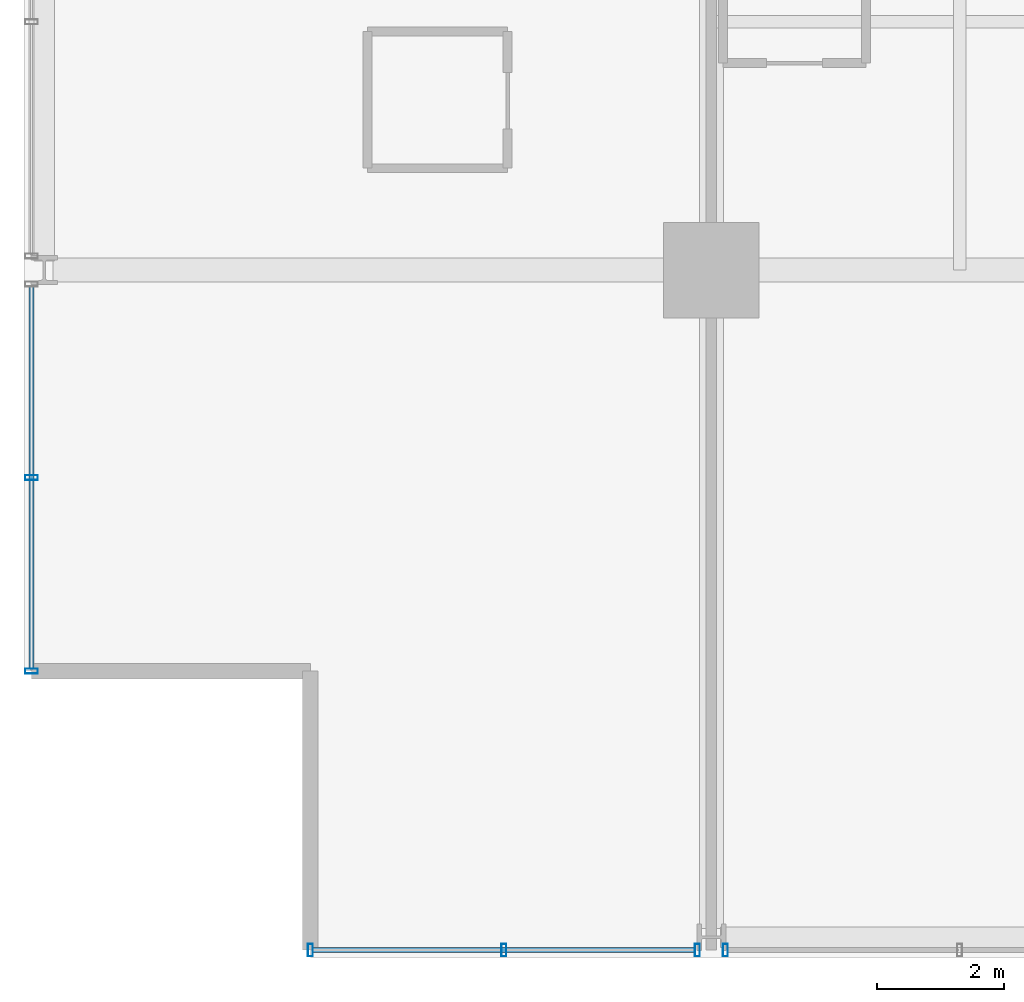
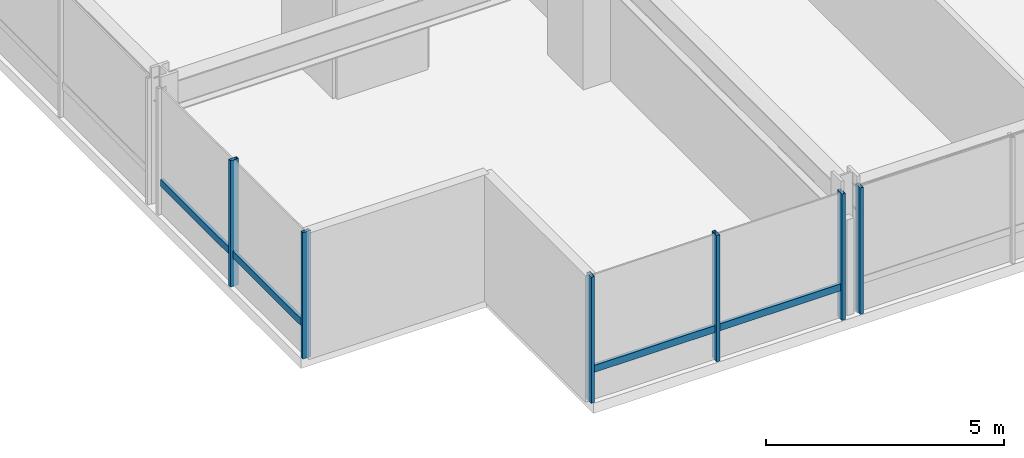
# One storey, part 2 of 34: 8 members, 3 elements without a shape of their own.
"""IFC4 building model written with IfcOpenShell, lengths in metres."""

from ifc_helpers import new_model, si_unit, direction, frame, origin, origin_2d, place, context, subcontext, project, spatial, hollow_rectangle, extrude, material, layer, layer_set, material_profile, profile_set, type_object, element, aggregate, save


model = new_model("IFC4")

# Units and contexts
model_context = context("Model", 3, precision=1e-05, world=origin(), true_north=direction((0.0, 1.0)))
body_context = subcontext(model_context, "Body", "Model", "MODEL_VIEW")
ifc_project = project(units=[si_unit("LENGTHUNIT", "METRE"), si_unit("AREAUNIT", "SQUARE_METRE"), si_unit("VOLUMEUNIT", "CUBIC_METRE"), si_unit("PLANEANGLEUNIT", "RADIAN"), si_unit("MASSUNIT", "GRAM", prefix="KILO")], contexts=[model_context])

# Site, building, storey
site_placement = place(None, origin())
site = spatial("IfcSite", under=ifc_project, at=site_placement, CompositionType="ELEMENT")
building_placement = place(site_placement, origin())
building = spatial("IfcBuilding", under=site, at=building_placement, Name="Drelvath Grand Hotel", CompositionType="ELEMENT")
storey_placement = place(building_placement, frame((0.0, 0.0, 91.800048828125)))
storey = spatial("IfcBuildingStorey", under=building, at=storey_placement, Name="L22", CompositionType="ELEMENT", Elevation=91.800048828125)

# Curtain wall, member
ifc_material = material(Name="Champagne Bronze Anodised Aluminium Frame", Category="aluminium")
ifc_layer = layer(ifc_material, 0.199951171875)
ifc_layer_set = layer_set([ifc_layer], Name="Champagne Bronze Anodised Aluminium Frame")
curtain_wall_type = type_object("IfcCurtainWallType", Name="Stick Curtain Wall CW-03 Champagne Bronze Mid-Rise", PredefinedType="NOTDEFINED", material=ifc_layer_set)
curtain_wall_1_placement = place(storey_placement, origin())
curtain_wall_1 = element("IfcCurtainWall", 1, at=curtain_wall_1_placement, inside=storey, type_object=curtain_wall_type, Name="L22 CW-03 Curtain Wall CW03-L22-WS1", PredefinedType="NOTDEFINED")
ifc_material_profile_1 = material_profile(ifc_material, hollow_rectangle(XDim=0.074951171875, YDim=0.179931640625, WallThickness=0.0048828125, at=origin_2d()), Name="HSS180X75X5")
ifc_profile_set_1 = profile_set([ifc_material_profile_1], Name="Champagne Bronze Anodised Aluminium Frame")
member_type_1 = type_object("IfcMemberType", Name="Curtain Wall Horizontal Transom CW-03 HSS180X75X5", PredefinedType="USERDEFINED", material=ifc_profile_set_1)
member_1_placement = place(storey_placement, frame((-26.8798828125, 4.5400390625, 0.81005859375), z_axis=(0.0, 1.0, 0.0), x_axis=(-1.0, 0.0, 0.0)))
member_1 = element("IfcMember", 2, at=member_1_placement, type_object=member_type_1, Name="CW03-L22-WS1 Sill Transom", ObjectType="TRANSOM", PredefinedType="USERDEFINED", context=body_context, shape_type="SweptSolid", body=[
    extrude(hollow_rectangle(XDim=0.074951171875, YDim=0.179931640625, WallThickness=0.0048828125, at=origin_2d()), origin(), (0.0, 0.0, 1.0), 6.000244140625),
])

curtain_wall_2_placement = place(storey_placement, origin())
curtain_wall_2 = element("IfcCurtainWall", 3, at=curtain_wall_2_placement, inside=storey, type_object=curtain_wall_type, Name="L22 CW-03 Curtain Wall CW03-L22-SW1", PredefinedType="NOTDEFINED")
member_2_placement = place(storey_placement, frame((-16.459716796875, 0.1201171875, 0.81005859375), z_axis=(-1.0, 0.0, 0.0), x_axis=(0.0, -1.0, 0.0)))
member_2 = element("IfcMember", 4, at=member_2_placement, type_object=member_type_1, Name="CW03-L22-SW1 Sill Transom", ObjectType="TRANSOM", PredefinedType="USERDEFINED", context=body_context, shape_type="SweptSolid", body=[
    extrude(hollow_rectangle(XDim=0.074951171875, YDim=0.179931640625, WallThickness=0.0048828125, at=origin_2d()), origin(), (0.0, 0.0, 1.0), 6.000244140625),
])

# Member
ifc_material_profile_2 = material_profile(ifc_material, hollow_rectangle(XDim=0.080078125, YDim=0.199951171875, WallThickness=0.0048828125, at=origin_2d()), Name="HSS200X80X5")
ifc_profile_set_2 = profile_set([ifc_material_profile_2], Name="Champagne Bronze Anodised Aluminium Frame")
member_type_2 = type_object("IfcMemberType", Name="Curtain Wall Vertical Mullion CW-03 HSS200X80X5", PredefinedType="MULLION", material=ifc_profile_set_2)
member_3_placement = place(storey_placement, frame((-26.8798828125, 4.5, 0.0), z_axis=(0.0, 0.0, 1.0), x_axis=(0.0, 1.0, 0.0)))
member_3 = element("IfcMember", 5, at=member_3_placement, type_object=member_type_2, Name="CW03-L22-WS1 Mullion 1", PredefinedType="MULLION", context=body_context, shape_type="SweptSolid", body=[
    extrude(hollow_rectangle(XDim=0.080078125, YDim=0.199951171875, WallThickness=0.0048828125, at=origin_2d()), origin(), (0.0, 0.0, 1.0), 3.239990234375),
])

member_4_placement = place(storey_placement, frame((-26.8798828125, 7.540283203125, 0.0), z_axis=(0.0, 0.0, 1.0), x_axis=(0.0, 1.0, 0.0)))
member_4 = element("IfcMember", 6, at=member_4_placement, type_object=member_type_2, Name="CW03-L22-WS1 Mullion 2", PredefinedType="MULLION", context=body_context, shape_type="SweptSolid", body=[
    extrude(hollow_rectangle(XDim=0.080078125, YDim=0.199951171875, WallThickness=0.0048828125, at=origin_2d()), origin(), (0.0, 0.0, 1.0), 3.239990234375),
])

aggregate(curtain_wall_1, [member_3, member_4, member_1])

member_5_placement = place(storey_placement, frame((-16.419677734375, 0.1201171875, 0.0), z_axis=(0.0, 0.0, 1.0), x_axis=(1.0, 0.0, 0.0)))
member_5 = element("IfcMember", 7, at=member_5_placement, type_object=member_type_2, Name="CW03-L22-SW1 Mullion 1", PredefinedType="MULLION", context=body_context, shape_type="SweptSolid", body=[
    extrude(hollow_rectangle(XDim=0.080078125, YDim=0.199951171875, WallThickness=0.0048828125, at=origin_2d()), origin(), (0.0, 0.0, 1.0), 3.239990234375),
])

member_6_placement = place(storey_placement, frame((-19.459716796875, 0.1201171875, 0.0), z_axis=(0.0, 0.0, 1.0), x_axis=(1.0, 0.0, 0.0)))
member_6 = element("IfcMember", 8, at=member_6_placement, type_object=member_type_2, Name="CW03-L22-SW1 Mullion 2", PredefinedType="MULLION", context=body_context, shape_type="SweptSolid", body=[
    extrude(hollow_rectangle(XDim=0.080078125, YDim=0.199951171875, WallThickness=0.0048828125, at=origin_2d()), origin(), (0.0, 0.0, 1.0), 3.239990234375),
])

member_7_placement = place(storey_placement, frame((-22.5, 0.1201171875, 0.0), z_axis=(0.0, 0.0, 1.0), x_axis=(1.0, 0.0, 0.0)))
member_7 = element("IfcMember", 9, at=member_7_placement, type_object=member_type_2, Name="CW03-L22-SW1 Mullion 3", PredefinedType="MULLION", context=body_context, shape_type="SweptSolid", body=[
    extrude(hollow_rectangle(XDim=0.080078125, YDim=0.199951171875, WallThickness=0.0048828125, at=origin_2d()), origin(), (0.0, 0.0, 1.0), 3.239990234375),
])

aggregate(curtain_wall_2, [member_5, member_6, member_7, member_2])

# Curtain wall, member
curtain_wall_3_placement = place(storey_placement, origin())
curtain_wall_3 = element("IfcCurtainWall", 10, at=curtain_wall_3_placement, inside=storey, type_object=curtain_wall_type, Name="L22 CW-03 Curtain Wall CW03-L22-SW2", PredefinedType="NOTDEFINED")
member_8_placement = place(storey_placement, frame((-15.98046875, 0.1201171875, 0.0), z_axis=(0.0, 0.0, 1.0), x_axis=(1.0, 0.0, 0.0)))
member_8 = element("IfcMember", 11, at=member_8_placement, type_object=member_type_2, Name="CW03-L22-SW2 Mullion 3", PredefinedType="MULLION", context=body_context, shape_type="SweptSolid", body=[
    extrude(hollow_rectangle(XDim=0.080078125, YDim=0.199951171875, WallThickness=0.0048828125, at=origin_2d()), origin(), (0.0, 0.0, 1.0), 3.239990234375),
])
aggregate(curtain_wall_3, [member_8])

save(model, "model.ifc")
